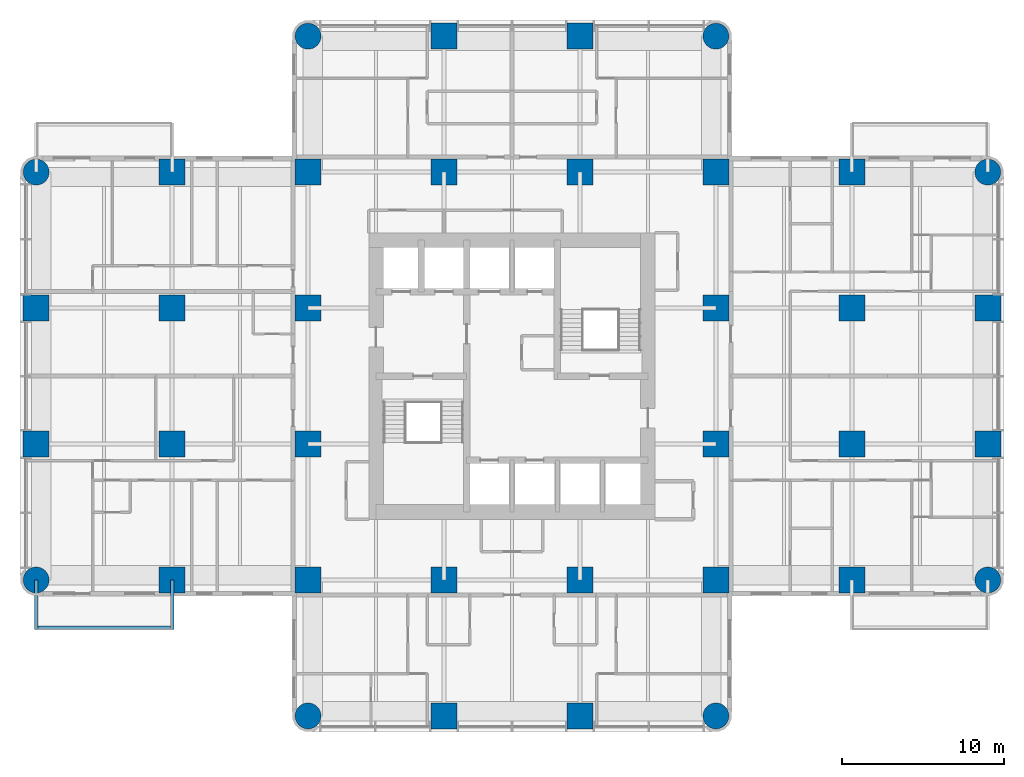
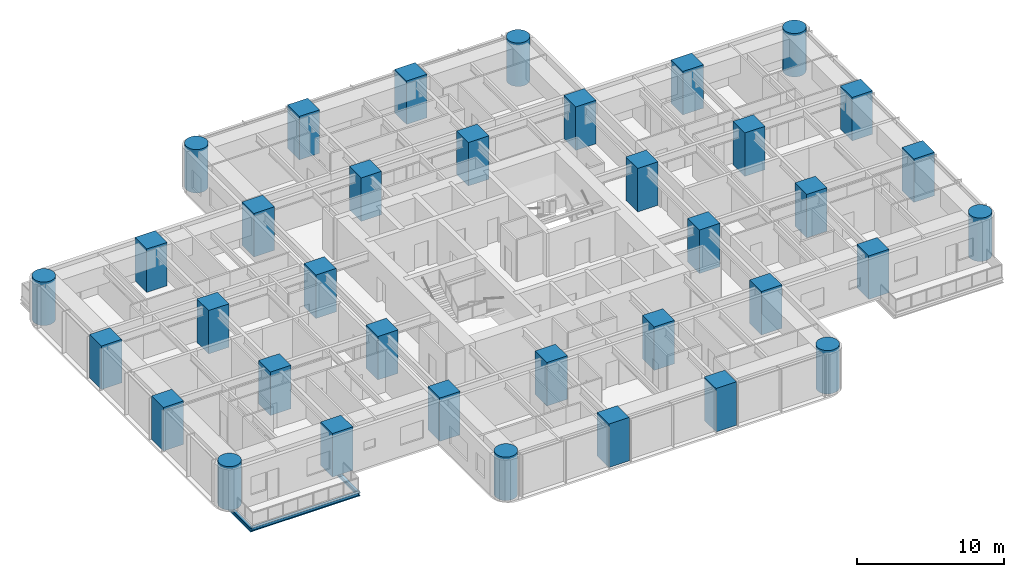
# One storey, part 1 of 15: 36 columns, 3 beams.
"""IFC4 building model written with IfcOpenShell, lengths in metres."""

from ifc_helpers import new_model, si_unit, direction, frame, origin, origin_2d, place, context, subcontext, project, spatial, rectangle, circle, i_section, extrude, material, material_profile, profile_set, type_object, element, save


model = new_model("IFC4")

# Units and contexts
model_context = context("Model", 3, precision=1e-05, world=origin(), true_north=direction((0.0, 1.0)))
body_context = subcontext(model_context, "Body", "Model", "MODEL_VIEW")
ifc_project = project(units=[si_unit("LENGTHUNIT", "METRE"), si_unit("AREAUNIT", "SQUARE_METRE"), si_unit("VOLUMEUNIT", "CUBIC_METRE"), si_unit("PLANEANGLEUNIT", "RADIAN"), si_unit("MASSUNIT", "GRAM", prefix="KILO")], contexts=[model_context])

# Site, building, storey
site_placement = place(None, origin())
site = spatial("IfcSite", under=ifc_project, at=site_placement, CompositionType="ELEMENT")
building_placement = place(site_placement, origin())
building = spatial("IfcBuilding", under=site, at=building_placement, Name="Torre Alcanfor", CompositionType="ELEMENT")
storey_placement = place(building_placement, frame((0.0, 0.0, 123.300048828125)))
storey = spatial("IfcBuildingStorey", under=building, at=storey_placement, Name="L31", CompositionType="ELEMENT", Elevation=123.300048828125)

# Columns
ifc_material_1 = material(Name="Concrete f'c 70 MPa", Category="concrete")
ifc_material_profile_1 = material_profile(ifc_material_1, rectangle(XDim=1.60009765625, YDim=1.60009765625, at=origin_2d()), Name="1600x1600")
ifc_profile_set_1 = profile_set([ifc_material_profile_1], Name="Concrete f'c 70 MPa")
column_type_1 = type_object("IfcColumnType", Name="RC column 1600x1600 f'c70", PredefinedType="COLUMN", material=ifc_profile_set_1)
for number, where, z_axis, x_axis, name in (
    (1, (0.0, 25.199951171875, 0.0), (0.0, 0.0, 1.0), (1.0, 0.0, 0.0), "Column 1/F L31"),
    (2, (0.0, 33.60009765625, 0.0), (0.0, 0.0, 1.0), (1.0, 0.0, 0.0), "Column 1/G L31"),
    (3, (8.39990234375, 16.800048828125, 0.0), (0.0, 0.0, 1.0), (1.0, 0.0, 0.0), "Column 2/E L31"),
    (4, (8.39990234375, 25.199951171875, 0.0), (0.0, 0.0, 1.0), (1.0, 0.0, 0.0), "Column 2/F L31"),
    (5, (8.39990234375, 33.60009765625, 0.0), (0.0, 0.0, 1.0), (1.0, 0.0, 0.0), "Column 2/G L31"),
    (6, (8.39990234375, 42.0, 0.0), (0.0, 0.0, 1.0), (1.0, 0.0, 0.0), "Column 2/H L31"),
    (7, (16.800048828125, 16.800048828125, 0.0), (0.0, 0.0, 1.0), (1.0, 0.0, 0.0), "Column 3/E L31"),
    (8, (16.800048828125, 25.199951171875, 0.0), (0.0, 0.0, 1.0), (1.0, 0.0, 0.0), "Column 3/F L31"),
    (9, (16.800048828125, 33.60009765625, 0.0), (0.0, 0.0, 1.0), (1.0, 0.0, 0.0), "Column 3/G L31"),
    (10, (16.800048828125, 42.0, 0.0), (0.0, 0.0, 1.0), (1.0, 0.0, 0.0), "Column 3/H L31"),
    (11, (25.199951171875, 8.39990234375, 0.0), (0.0, 0.0, 1.0), (1.0, 0.0, 0.0), "Column 4/D L31"),
    (12, (25.199951171875, 16.800048828125, 0.0), (0.0, 0.0, 1.0), (1.0, 0.0, 0.0), "Column 4/E L31"),
    (13, (25.199951171875, 42.0, 0.0), (0.0, 0.0, 1.0), (1.0, 0.0, 0.0), "Column 4/H L31"),
    (14, (25.199951171875, 50.39990234375, 0.0), (0.0, 0.0, 1.0), (1.0, 0.0, 0.0), "Column 4/J L31"),
    (15, (33.60009765625, 8.39990234375, 0.0), (0.0, 0.0, 1.0), (1.0, 0.0, 0.0), "Column 5/D L31"),
    (16, (33.60009765625, 16.800048828125, 0.0), (0.0, 0.0, 1.0), (1.0, 0.0, 0.0), "Column 5/E L31"),
    (17, (33.60009765625, 42.0, 0.0), (0.0, 0.0, 1.0), (1.0, 0.0, 0.0), "Column 5/H L31"),
    (18, (33.60009765625, 50.39990234375, 0.0), (0.0, 0.0, 1.0), (1.0, 0.0, 0.0), "Column 5/J L31"),
    (19, (42.0, 16.800048828125, 0.0), (0.0, 0.0, 1.0), (1.0, 0.0, 0.0), "Column 6/E L31"),
    (20, (42.0, 25.199951171875, 0.0), (0.0, 0.0, 1.0), (1.0, 0.0, 0.0), "Column 6/F L31"),
    (21, (42.0, 33.60009765625, 0.0), (0.0, 0.0, 1.0), (1.0, 0.0, 0.0), "Column 6/G L31"),
    (22, (42.0, 42.0, 0.0), (0.0, 0.0, 1.0), (1.0, 0.0, 0.0), "Column 6/H L31"),
    (23, (50.39990234375, 16.800048828125, 0.0), (0.0, 0.0, 1.0), (1.0, 0.0, 0.0), "Column 7/E L31"),
    (24, (50.39990234375, 25.199951171875, 0.0), (0.0, 0.0, 1.0), (1.0, 0.0, 0.0), "Column 7/F L31"),
    (25, (50.39990234375, 33.60009765625, 0.0), (0.0, 0.0, 1.0), (1.0, 0.0, 0.0), "Column 7/G L31"),
    (26, (50.39990234375, 42.0, 0.0), (0.0, 0.0, 1.0), (1.0, 0.0, 0.0), "Column 7/H L31"),
    (27, (58.800048828125, 25.199951171875, 0.0), (0.0, 0.0, 1.0), (1.0, 0.0, 0.0), "Column 8/F L31"),
    (28, (58.800048828125, 33.60009765625, 0.0), (0.0, 0.0, 1.0), (1.0, 0.0, 0.0), "Column 8/G L31"),
):
    element("IfcColumn", number, at=place(storey_placement, frame(where, z_axis=z_axis, x_axis=x_axis)), inside=storey, type_object=column_type_1, Name=name, PredefinedType="COLUMN", context=body_context, shape_type="SweptSolid", body=[
        extrude(rectangle(XDim=1.60009765625, YDim=1.60009765625, at=origin_2d()), origin(), (0.0, 0.0, 1.0), 3.599853515625),
    ])
ifc_material_2 = material(Name="Concrete f'c 70 MPa", Category="concrete")
ifc_material_profile_2 = material_profile(ifc_material_2, circle(Radius=0.800048828125, at=origin_2d()), Name="D1600")
ifc_profile_set_2 = profile_set([ifc_material_profile_2], Name="Concrete f'c 70 MPa")
column_type_2 = type_object("IfcColumnType", Name="RC column D1600 f'c70", PredefinedType="COLUMN", material=ifc_profile_set_2)
for number, where, z_axis, x_axis, name in (
    (29, (0.0, 16.800048828125, 0.0), (0.0, 0.0, 1.0), (1.0, 0.0, 0.0), "Column 1/E L31"),
    (30, (0.0, 42.0, 0.0), (0.0, 0.0, 1.0), (1.0, 0.0, 0.0), "Column 1/H L31"),
    (31, (16.800048828125, 8.39990234375, 0.0), (0.0, 0.0, 1.0), (1.0, 0.0, 0.0), "Column 3/D L31"),
    (32, (16.800048828125, 50.39990234375, 0.0), (0.0, 0.0, 1.0), (1.0, 0.0, 0.0), "Column 3/J L31"),
    (33, (42.0, 8.39990234375, 0.0), (0.0, 0.0, 1.0), (1.0, 0.0, 0.0), "Column 6/D L31"),
    (34, (42.0, 50.39990234375, 0.0), (0.0, 0.0, 1.0), (1.0, 0.0, 0.0), "Column 6/J L31"),
    (35, (58.800048828125, 16.800048828125, 0.0), (0.0, 0.0, 1.0), (1.0, 0.0, 0.0), "Column 8/E L31"),
    (36, (58.800048828125, 42.0, 0.0), (0.0, 0.0, 1.0), (1.0, 0.0, 0.0), "Column 8/H L31"),
):
    element("IfcColumn", number, at=place(storey_placement, frame(where, z_axis=z_axis, x_axis=x_axis)), inside=storey, type_object=column_type_2, Name=name, PredefinedType="COLUMN", context=body_context, shape_type="SweptSolid", body=[
        extrude(circle(Radius=0.800048828125, at=origin_2d()), origin(), (0.0, 0.0, 1.0), 3.599853515625),
    ])

# Beams
ifc_material_3 = material(Name="Steel ASTM A992 Grade 50", Category="steel")
ifc_material_profile_3 = material_profile(ifc_material_3, i_section(OverallWidth=0.205322265625, OverallDepth=0.309814453125, WebThickness=0.00927734375, FlangeThickness=0.016357421875, at=origin_2d()), Name="W12x50")
ifc_profile_set_3 = profile_set([ifc_material_profile_3], Name="Steel ASTM A992 Grade 50")
beam_type_1 = type_object("IfcBeamType", Name="Balcony cantilever beam W12x50", PredefinedType="BEAM", material=ifc_profile_set_3)
for number, where, z_axis, x_axis, name in (
    (37, (8.39990234375, 16.800048828125, -0.35498046875), (0.0, -1.0, 0.0), (1.0, 0.0, 0.0), "Balcony cantilever beam L31-W1 1"),
    (38, (0.0, 16.800048828125, -0.35498046875), (0.0, -1.0, 0.0), (1.0, 0.0, 0.0), "Balcony cantilever beam L31-W1 2"),
):
    element("IfcBeam", number, at=place(storey_placement, frame(where, z_axis=z_axis, x_axis=x_axis)), inside=storey, type_object=beam_type_1, Name=name, PredefinedType="BEAM", context=body_context, shape_type="SweptSolid", body=[
        extrude(i_section(OverallWidth=0.205322265625, OverallDepth=0.309814453125, WebThickness=0.00927734375, FlangeThickness=0.016357421875, at=origin_2d()), origin(), (0.0, 0.0, 1.0), 3.050048828125),
    ])
ifc_material_4 = material(Name="Steel ASTM A992 Grade 50", Category="steel")
ifc_material_profile_4 = material_profile(ifc_material_4, i_section(OverallWidth=0.203369140625, OverallDepth=0.30224609375, WebThickness=0.007568359375, FlangeThickness=0.01318359375, at=origin_2d()), Name="W12x40")
ifc_profile_set_4 = profile_set([ifc_material_profile_4], Name="Steel ASTM A992 Grade 50")
beam_type_2 = type_object("IfcBeamType", Name="Balcony edge trimmer W12x40", PredefinedType="BEAM", material=ifc_profile_set_4)
beam_placement = place(storey_placement, frame((8.39990234375, 13.851806640625, -0.35107421875), z_axis=(-1.0, 0.0, 0.0), x_axis=(0.0, -1.0, 0.0)))
element("IfcBeam", 39, at=beam_placement, inside=storey, type_object=beam_type_2, Name="Balcony edge trimmer L31-W1", PredefinedType="BEAM", context=body_context, shape_type="SweptSolid", body=[
    extrude(i_section(OverallWidth=0.203369140625, OverallDepth=0.30224609375, WebThickness=0.007568359375, FlangeThickness=0.01318359375, at=origin_2d()), origin(), (0.0, 0.0, 1.0), 8.39990234375),
])

save(model, "model.ifc")
